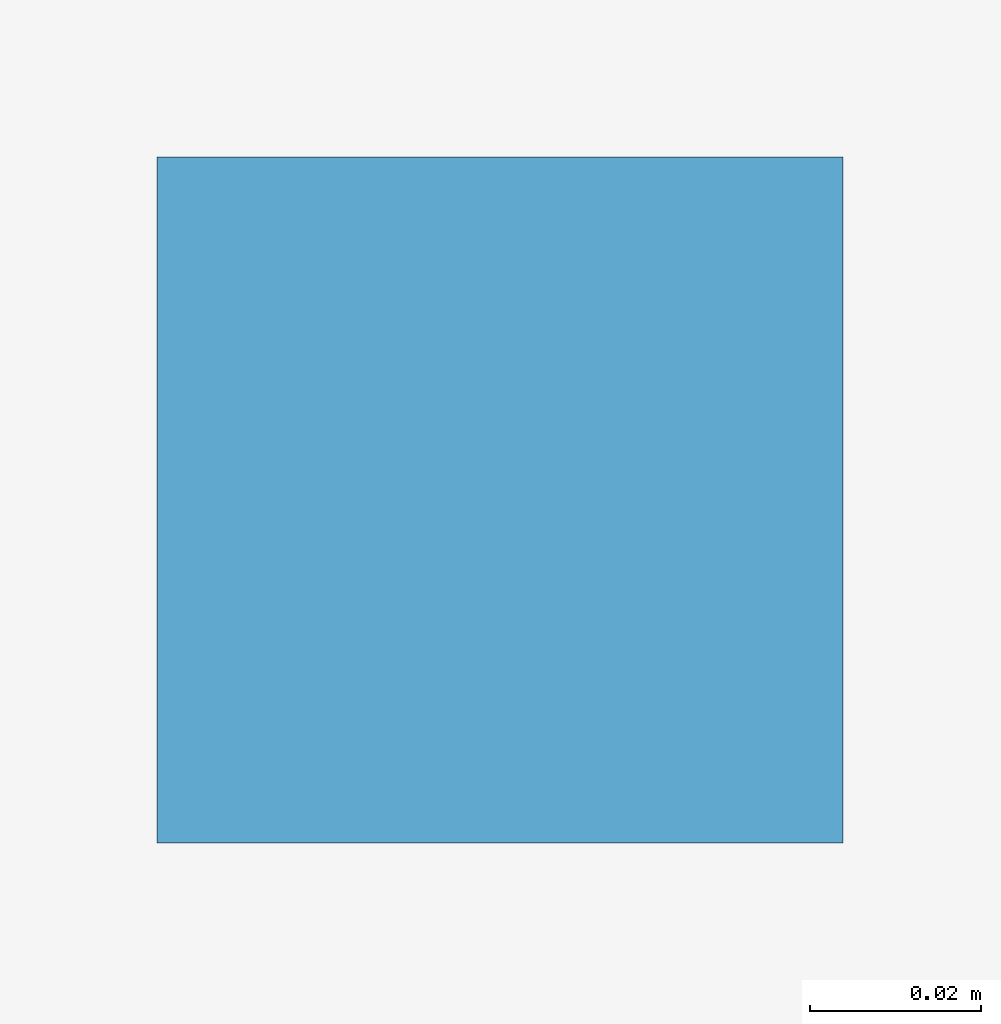
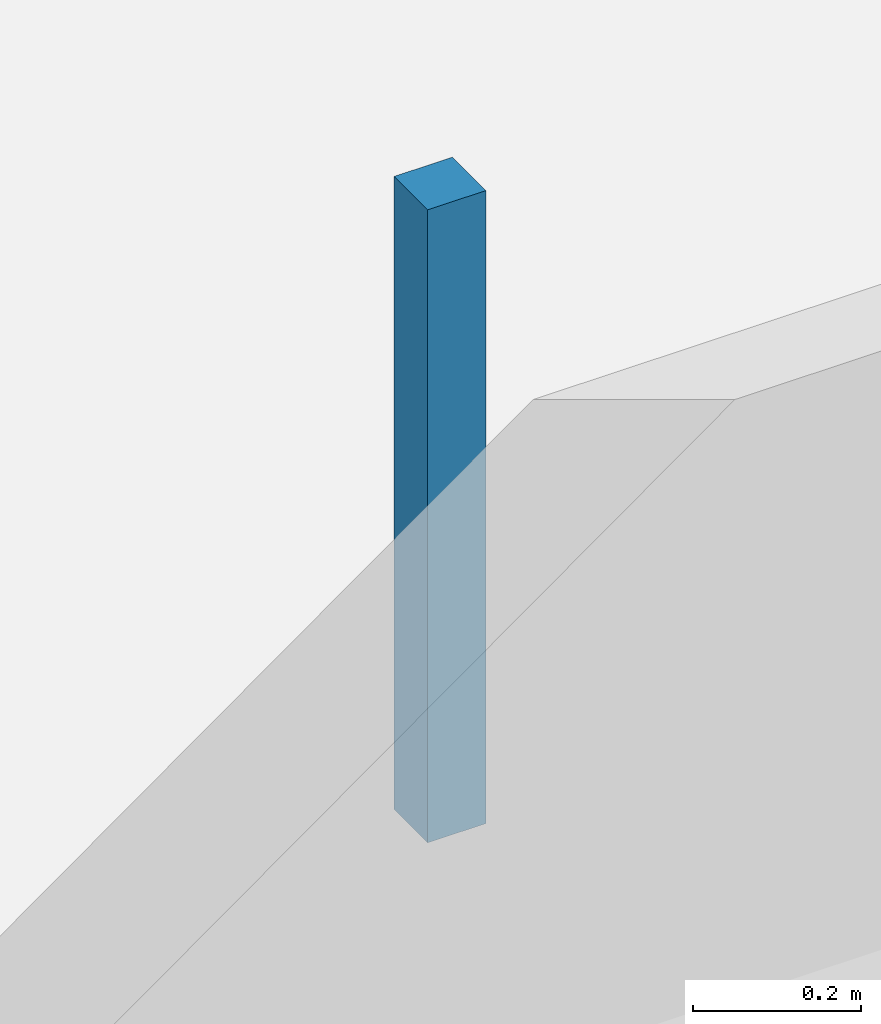
# One storey, part 11 of 16: 1 discrete accessory.
"""IFC4 building model written with IfcOpenShell, lengths in metres."""

from ifc_helpers import new_model, si_unit, direction, frame, origin, origin_2d, place, context, subcontext, project, spatial, rectangle, extrude, source, transform, mapped, material, type_object, element, save


model = new_model("IFC4")

# Units and contexts
model_context = context("Model", 3, precision=1e-05, world=origin(), true_north=direction((0.0, 1.0)))
body_context = subcontext(model_context, "Body", "Model", "MODEL_VIEW")
ifc_project = project(units=[si_unit("LENGTHUNIT", "METRE"), si_unit("AREAUNIT", "SQUARE_METRE"), si_unit("VOLUMEUNIT", "CUBIC_METRE"), si_unit("PLANEANGLEUNIT", "RADIAN"), si_unit("MASSUNIT", "GRAM", prefix="KILO")], contexts=[model_context])

# Site, building, storey
site_placement = place(None, origin())
site = spatial("IfcSite", under=ifc_project, at=site_placement, CompositionType="ELEMENT")
building_placement = place(site_placement, origin())
building = spatial("IfcBuilding", under=site, at=building_placement, Name="Giltprow Tower", CompositionType="ELEMENT")
storey_placement = place(building_placement, frame((0.0, 0.0, 91.300048828125)))
storey = spatial("IfcBuildingStorey", under=building, at=storey_placement, Name="L22", CompositionType="ELEMENT", Elevation=91.300048828125)

# Discrete accessory
ifc_material = material(Name="Structural steel Q355B", Category="steel")
discrete_accessory_type = type_object("IfcDiscreteAccessoryType", Name="ACC-CLG-HANGER", PredefinedType="BRACKET", material=ifc_material)
shared_shape = source(origin(), body_context, "Body", "SweptSolid", [
    extrude(rectangle(XDim=0.080078125, YDim=0.080078125, at=origin_2d()), origin(), (0.0, 0.0, 1.0), 0.919921875),
])
discrete_accessory_placement = place(storey_placement, frame((25.39990234375, 20.51806640625, 2.719970703125), z_axis=(0.0, 0.0, 1.0), x_axis=(1.0, 0.0, 0.0)))
element("IfcDiscreteAccessory", 1, at=discrete_accessory_placement, inside=storey, type_object=discrete_accessory_type, Name="L22 Office Acoustic Ceiling Suspension Hanger", PredefinedType="BRACKET", context=body_context, shape_type="MappedRepresentation", body=[
    mapped(shared_shape, transform((0.0, 0.0, 0.0), x_axis=(1.0, 0.0, 0.0), y_axis=(0.0, 1.0, 0.0), z_axis=(0.0, 0.0, 1.0), scale=1.0)),
])

save(model, "model.ifc")
